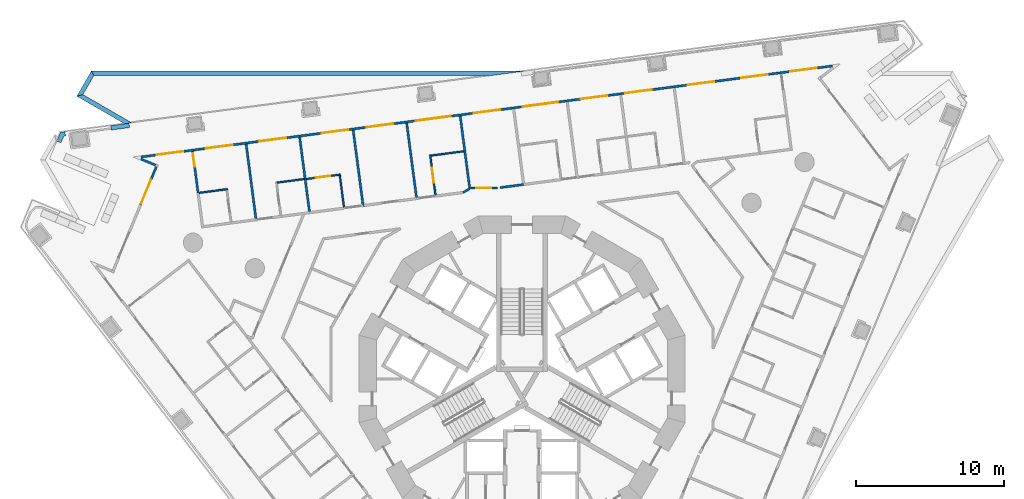
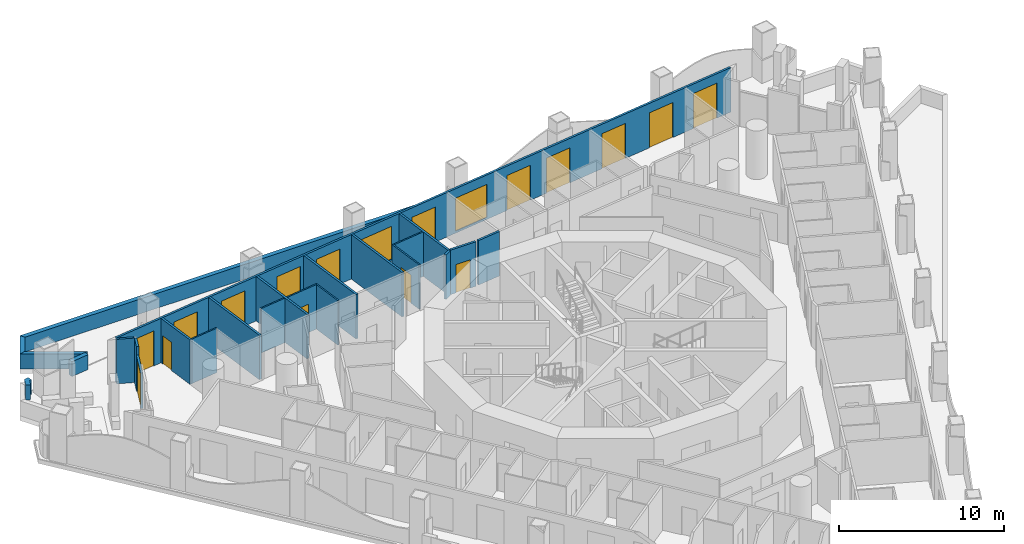
# One storey, part 8 of 20: 24 walls, 16 doors, 2 windows, 18 openings.
"""IFC4 building model written with IfcOpenShell, lengths in metres."""

from ifc_helpers import new_model, si_unit, direction, frame, frame_2d, origin, place, context, subcontext, project, spatial, polyline, rectangle, outline, extrude, material, layer, layer_set, type_object, element, fill, save


model = new_model("IFC4")

# Units and contexts
model_context = context("Model", 3, precision=1e-05, world=origin(), true_north=direction((0.0, 1.0)))
body_context = subcontext(model_context, "Body", "Model", "MODEL_VIEW")
ifc_project = project(units=[si_unit("LENGTHUNIT", "METRE"), si_unit("AREAUNIT", "SQUARE_METRE"), si_unit("VOLUMEUNIT", "CUBIC_METRE"), si_unit("PLANEANGLEUNIT", "RADIAN"), si_unit("MASSUNIT", "GRAM", prefix="KILO")], contexts=[model_context])

# Site, building, storey
site_placement = place(None, origin())
site = spatial("IfcSite", under=ifc_project, at=site_placement, CompositionType="ELEMENT")
building_placement = place(site_placement, origin())
building = spatial("IfcBuilding", under=site, at=building_placement, Name="Trine Commons Tower", CompositionType="ELEMENT")
storey_placement = place(building_placement, frame((0.0, 0.0, 50.39990234375)))
storey = spatial("IfcBuildingStorey", under=building, at=storey_placement, Name="L11", CompositionType="ELEMENT", Elevation=50.39990234375)

# Wall, opening, door
ifc_material_1 = material(Name="Aluminium-framed insulated wall panel", Category="aluminium")
ifc_layer_1 = layer(ifc_material_1, 0.14990234375)
ifc_layer_set_1 = layer_set([ifc_layer_1], Name="Aluminium-framed insulated wall panel")
wall_type_1 = type_object("IfcWallType", Name="Glazed frame wall 150, EI 60", PredefinedType="SOLIDWALL", material=ifc_layer_set_1)
wall_1_placement = place(storey_placement, frame((54.24755859375, 74.24951171875, 0.0), z_axis=(0.0, 0.0, 1.0), x_axis=(0.382661988648, 0.923888414498, 0.0)))
wall_1 = element("IfcWall", 1, at=wall_1_placement, inside=storey, type_object=wall_type_1, Name="Glazed frame wall P1.4", PredefinedType="SOLIDWALL", context=body_context, shape_type="SweptSolid", body=[
    extrude(outline(polyline([(0.0, -0.074951171875), (1.89990234375, -0.074951171875), (1.89990234375, 0.074951171875), (0.0, 0.074951171875), (0.0, -0.074951171875)])), origin(), (0.0, 0.0, 1.0), 2.650146484375),
])
opening_1_placement = place(wall_1_placement, frame((0.050048828125, 0.0, 0.0)))
opening_1 = element("IfcOpeningElement", 2, at=opening_1_placement, cuts=wall_1, Name="Opening BD-2P1-02", PredefinedType="OPENING", context=body_context, shape_type="SweptSolid", body=[
    extrude(rectangle(XDim=1.800048828125, YDim=2.60009765625, at=frame_2d((0.89990234375, 1.300048828125))), frame((0.0, 0.0849609375, 0.0), z_axis=(0.0, -1.0, 0.0), x_axis=(1.0, 0.0, 0.0)), (0.0, 0.0, 1.0), 0.169921875),
])
ifc_material_2 = material(Name="Anodised aluminium frame with double glazing", Category="aluminium")
door_type_1 = type_object("IfcDoorType", Name="Sliding loggia door 1800x2600", OperationType="SLIDING_TO_LEFT", PredefinedType="DOOR", material=ifc_material_2)
door_1_placement = place(opening_1_placement, origin())
door_1 = element("IfcDoor", 3, at=door_1_placement, inside=storey, type_object=door_type_1, Name="Loggia door P1 2", OperationType="SLIDING_TO_LEFT", OverallHeight=2.60009765625, OverallWidth=1.800048828125, PredefinedType="DOOR", context=body_context, shape_type="SweptSolid", body=[
    extrude(rectangle(XDim=1.800048828125, YDim=2.60009765625, at=frame_2d((0.89990234375, 1.300048828125))), frame((0.0, 0.02490234375, 0.0), z_axis=(0.0, -1.0, 0.0), x_axis=(1.0, 0.0, 0.0)), (0.0, 0.0, 1.0), 0.050048828125),
])
fill(opening_1, door_1)

# Walls
wall_2_placement = place(storey_placement, frame((54.974609375, 76.0048828125, 0.0), z_axis=(0.0, 0.0, 1.0), x_axis=(0.382811769845, 0.923826362943, 0.0)))
element("IfcWall", 4, at=wall_2_placement, inside=storey, type_object=wall_type_1, Name="Glazed frame wall P1.5", PredefinedType="SOLIDWALL", context=body_context, shape_type="SweptSolid", body=[
    extrude(outline(polyline([(0.889892578125, 0.074951171875), (0.0, 0.074951171875), (0.0, -0.074951171875), (0.889892578125, -0.074951171875), (0.889892578125, 0.074951171875)])), origin(), (0.0, 0.0, 1.0), 3.300048828125),
])
wall_3_placement = place(storey_placement, frame((55.376220703125, 76.883056640625, 0.0), z_axis=(0.0, 0.0, 1.0), x_axis=(-0.923901801611, 0.382629665579, 0.0)))
element("IfcWall", 5, at=wall_3_placement, inside=storey, type_object=wall_type_1, Name="Glazed frame wall R3", PredefinedType="SOLIDWALL", context=body_context, shape_type="SweptSolid", body=[
    extrude(outline(polyline([(0.110107421875, 0.074951171875), (0.110107421875, -0.074951171875), (1.19580078125, -0.074951171875), (1.19580078125, 0.074951171875), (0.110107421875, 0.074951171875)])), origin(), (0.0, 0.0, 1.0), 3.300048828125),
])

# Wall, openings, windows, doors
wall_4_placement = place(storey_placement, frame((54.142333984375, 77.464599609375, 0.0), z_axis=(0.0, 0.0, 1.0), x_axis=(0.991444696532, 0.130527444308, 0.0)))
wall_4 = element("IfcWall", 6, at=wall_4_placement, inside=storey, type_object=wall_type_1, Name="Glazed frame wall F1", PredefinedType="SOLIDWALL", context=body_context, shape_type="SweptSolid", body=[
    extrude(outline(polyline([(0.1494140625, 0.074951171875), (0.1494140625, -0.074951171875), (47.216796875, -0.074951171875), (47.216796875, 0.074951171875), (0.1494140625, 0.074951171875)])), origin(), (0.0, 0.0, 1.0), 3.300048828125),
])
opening_2_placement = place(wall_4_placement, frame((1.2216796875, 0.0, 0.0)))
opening_2 = element("IfcOpeningElement", 7, at=opening_2_placement, cuts=wall_4, Name="Opening BD-2F1-01", PredefinedType="OPENING", context=body_context, shape_type="SweptSolid", body=[
    extrude(rectangle(XDim=1.800048828125, YDim=2.60009765625, at=frame_2d((0.89990234375, 1.300048828125))), frame((0.0, 0.0849609375, 0.0), z_axis=(0.0, -1.0, 0.0), x_axis=(1.0, 0.0, 0.0)), (0.0, 0.0, 1.0), 0.169921875),
])
opening_3_placement = place(wall_4_placement, frame((4.5654296875, 0.0, 0.0)))
opening_3 = element("IfcOpeningElement", 8, at=opening_3_placement, cuts=wall_4, Name="Opening BD-2F1-02", PredefinedType="OPENING", context=body_context, shape_type="SweptSolid", body=[
    extrude(rectangle(XDim=1.800048828125, YDim=2.60009765625, at=frame_2d((0.89990234375, 1.300048828125))), frame((0.0, 0.0849609375, 0.0), z_axis=(0.0, -1.0, 0.0), x_axis=(1.0, 0.0, 0.0)), (0.0, 0.0, 1.0), 0.169921875),
])
opening_4_placement = place(wall_4_placement, frame((8.208984375, 0.0, 0.0)))
opening_4 = element("IfcOpeningElement", 9, at=opening_4_placement, cuts=wall_4, Name="Opening BD-2F1-03", PredefinedType="OPENING", context=body_context, shape_type="SweptSolid", body=[
    extrude(rectangle(XDim=1.800048828125, YDim=2.60009765625, at=frame_2d((0.89990234375, 1.300048828125))), frame((0.0, 0.0849609375, 0.0), z_axis=(0.0, -1.0, 0.0), x_axis=(1.0, 0.0, 0.0)), (0.0, 0.0, 1.0), 0.169921875),
])
opening_5_placement = place(wall_4_placement, frame((12.45263671875, 0.0, 0.0)))
opening_5 = element("IfcOpeningElement", 10, at=opening_5_placement, cuts=wall_4, Name="Opening BD-2F1-04", PredefinedType="OPENING", context=body_context, shape_type="SweptSolid", body=[
    extrude(rectangle(XDim=1.800048828125, YDim=2.60009765625, at=frame_2d((0.89990234375, 1.300048828125))), frame((0.0, 0.0849609375, 0.0), z_axis=(0.0, -1.0, 0.0), x_axis=(1.0, 0.0, 0.0)), (0.0, 0.0, 1.0), 0.169921875),
])
opening_6_placement = place(wall_4_placement, frame((15.49609375, 0.0, 0.0)))
opening_6 = element("IfcOpeningElement", 11, at=opening_6_placement, cuts=wall_4, Name="Opening BD-2F1-05", PredefinedType="OPENING", context=body_context, shape_type="SweptSolid", body=[
    extrude(rectangle(XDim=1.800048828125, YDim=2.60009765625, at=frame_2d((0.89990234375, 1.300048828125))), frame((0.0, 0.0849609375, 0.0), z_axis=(0.0, -1.0, 0.0), x_axis=(1.0, 0.0, 0.0)), (0.0, 0.0, 1.0), 0.169921875),
])
opening_7_placement = place(wall_4_placement, frame((18.83984375, 0.0, 0.14990234375)))
opening_7 = element("IfcOpeningElement", 12, at=opening_7_placement, cuts=wall_4, Name="Opening W-2F1-06", PredefinedType="OPENING", context=body_context, shape_type="SweptSolid", body=[
    extrude(rectangle(XDim=2.39990234375, YDim=2.449951171875, at=frame_2d((1.199951171875, 1.22509765625))), frame((0.0, 0.0849609375, 0.0), z_axis=(0.0, -1.0, 0.0), x_axis=(1.0, 0.0, 0.0)), (0.0, 0.0, 1.0), 0.169921875),
])
opening_8_placement = place(wall_4_placement, frame((22.783447265625, 0.0, 0.0)))
opening_8 = element("IfcOpeningElement", 13, at=opening_8_placement, cuts=wall_4, Name="Opening BD-2F1-07", PredefinedType="OPENING", context=body_context, shape_type="SweptSolid", body=[
    extrude(rectangle(XDim=1.800048828125, YDim=2.60009765625, at=frame_2d((0.89990234375, 1.300048828125))), frame((0.0, 0.0849609375, 0.0), z_axis=(0.0, -1.0, 0.0), x_axis=(1.0, 0.0, 0.0)), (0.0, 0.0, 1.0), 0.169921875),
])
opening_9_placement = place(wall_4_placement, frame((26.126953125, 0.0, 0.14990234375)))
opening_9 = element("IfcOpeningElement", 14, at=opening_9_placement, cuts=wall_4, Name="Opening W-2F1-08", PredefinedType="OPENING", context=body_context, shape_type="SweptSolid", body=[
    extrude(rectangle(XDim=2.39990234375, YDim=2.449951171875, at=frame_2d((1.199951171875, 1.22509765625))), frame((0.0, 0.0849609375, 0.0), z_axis=(0.0, -1.0, 0.0), x_axis=(1.0, 0.0, 0.0)), (0.0, 0.0, 1.0), 0.169921875),
])
opening_10_placement = place(wall_4_placement, frame((30.070556640625, 0.0, 0.0)))
opening_10 = element("IfcOpeningElement", 15, at=opening_10_placement, cuts=wall_4, Name="Opening BD-2F1-09", PredefinedType="OPENING", context=body_context, shape_type="SweptSolid", body=[
    extrude(rectangle(XDim=1.800048828125, YDim=2.60009765625, at=frame_2d((0.89990234375, 1.300048828125))), frame((0.0, 0.0849609375, 0.0), z_axis=(0.0, -1.0, 0.0), x_axis=(1.0, 0.0, 0.0)), (0.0, 0.0, 1.0), 0.169921875),
])
opening_11_placement = place(wall_4_placement, frame((33.1142578125, 0.0, 0.0)))
opening_11 = element("IfcOpeningElement", 16, at=opening_11_placement, cuts=wall_4, Name="Opening BD-2F1-10", PredefinedType="OPENING", context=body_context, shape_type="SweptSolid", body=[
    extrude(rectangle(XDim=1.800048828125, YDim=2.60009765625, at=frame_2d((0.89990234375, 1.300048828125))), frame((0.0, 0.0849609375, 0.0), z_axis=(0.0, -1.0, 0.0), x_axis=(1.0, 0.0, 0.0)), (0.0, 0.0, 1.0), 0.169921875),
])
opening_12_placement = place(wall_4_placement, frame((37.35791015625, 0.0, 0.0)))
opening_12 = element("IfcOpeningElement", 17, at=opening_12_placement, cuts=wall_4, Name="Opening BD-2F1-11", PredefinedType="OPENING", context=body_context, shape_type="SweptSolid", body=[
    extrude(rectangle(XDim=1.800048828125, YDim=2.60009765625, at=frame_2d((0.89990234375, 1.300048828125))), frame((0.0, 0.0849609375, 0.0), z_axis=(0.0, -1.0, 0.0), x_axis=(1.0, 0.0, 0.0)), (0.0, 0.0, 1.0), 0.169921875),
])
opening_13_placement = place(wall_4_placement, frame((41.00146484375, 0.0, 0.0)))
opening_13 = element("IfcOpeningElement", 18, at=opening_13_placement, cuts=wall_4, Name="Opening BD-2F1-12", PredefinedType="OPENING", context=body_context, shape_type="SweptSolid", body=[
    extrude(rectangle(XDim=1.800048828125, YDim=2.60009765625, at=frame_2d((0.89990234375, 1.300048828125))), frame((0.0, 0.0849609375, 0.0), z_axis=(0.0, -1.0, 0.0), x_axis=(1.0, 0.0, 0.0)), (0.0, 0.0, 1.0), 0.169921875),
])
opening_14_placement = place(wall_4_placement, frame((44.344970703125, 0.0, 0.0)))
opening_14 = element("IfcOpeningElement", 19, at=opening_14_placement, cuts=wall_4, Name="Opening BD-2F1-13", PredefinedType="OPENING", context=body_context, shape_type="SweptSolid", body=[
    extrude(rectangle(XDim=1.800048828125, YDim=2.60009765625, at=frame_2d((0.89990234375, 1.300048828125))), frame((0.0, 0.0849609375, 0.0), z_axis=(0.0, -1.0, 0.0), x_axis=(1.0, 0.0, 0.0)), (0.0, 0.0, 1.0), 0.169921875),
])
window_type = type_object("IfcWindowType", Name="Fixed window 2400x2450", PartitioningType="SINGLE_PANEL", PredefinedType="WINDOW", material=ifc_material_2)
window_1_placement = place(opening_7_placement, origin())
window_1 = element("IfcWindow", 20, at=window_1_placement, inside=storey, type_object=window_type, Name="Window F1 6", OverallHeight=2.449951171875, OverallWidth=2.39990234375, PartitioningType="SINGLE_PANEL", PredefinedType="WINDOW", context=body_context, shape_type="SweptSolid", body=[
    extrude(rectangle(XDim=2.39990234375, YDim=2.449951171875, at=frame_2d((1.199951171875, 1.22509765625))), frame((0.0, 0.030029296875, 0.0), z_axis=(0.0, -1.0, 0.0), x_axis=(1.0, 0.0, 0.0)), (0.0, 0.0, 1.0), 0.06005859375),
])
fill(opening_7, window_1)
window_2_placement = place(opening_9_placement, origin())
window_2 = element("IfcWindow", 21, at=window_2_placement, inside=storey, type_object=window_type, Name="Window F1 8", OverallHeight=2.449951171875, OverallWidth=2.39990234375, PartitioningType="SINGLE_PANEL", PredefinedType="WINDOW", context=body_context, shape_type="SweptSolid", body=[
    extrude(rectangle(XDim=2.39990234375, YDim=2.449951171875, at=frame_2d((1.199951171875, 1.22509765625))), frame((0.0, 0.030029296875, 0.0), z_axis=(0.0, -1.0, 0.0), x_axis=(1.0, 0.0, 0.0)), (0.0, 0.0, 1.0), 0.06005859375),
])
fill(opening_9, window_2)
door_2_placement = place(opening_2_placement, origin())
door_2 = element("IfcDoor", 22, at=door_2_placement, inside=storey, type_object=door_type_1, Name="Loggia door F1 1", OperationType="SLIDING_TO_LEFT", OverallHeight=2.60009765625, OverallWidth=1.800048828125, PredefinedType="DOOR", context=body_context, shape_type="SweptSolid", body=[
    extrude(rectangle(XDim=1.800048828125, YDim=2.60009765625, at=frame_2d((0.89990234375, 1.300048828125))), frame((0.0, 0.02490234375, 0.0), z_axis=(0.0, -1.0, 0.0), x_axis=(1.0, 0.0, 0.0)), (0.0, 0.0, 1.0), 0.050048828125),
])
fill(opening_2, door_2)
door_3_placement = place(opening_3_placement, origin())
door_3 = element("IfcDoor", 23, at=door_3_placement, inside=storey, type_object=door_type_1, Name="Loggia door F1 2", OperationType="SLIDING_TO_LEFT", OverallHeight=2.60009765625, OverallWidth=1.800048828125, PredefinedType="DOOR", context=body_context, shape_type="SweptSolid", body=[
    extrude(rectangle(XDim=1.800048828125, YDim=2.60009765625, at=frame_2d((0.89990234375, 1.300048828125))), frame((0.0, 0.02490234375, 0.0), z_axis=(0.0, -1.0, 0.0), x_axis=(1.0, 0.0, 0.0)), (0.0, 0.0, 1.0), 0.050048828125),
])
fill(opening_3, door_3)
door_4_placement = place(opening_4_placement, origin())
door_4 = element("IfcDoor", 24, at=door_4_placement, inside=storey, type_object=door_type_1, Name="Loggia door F1 3", OperationType="SLIDING_TO_LEFT", OverallHeight=2.60009765625, OverallWidth=1.800048828125, PredefinedType="DOOR", context=body_context, shape_type="SweptSolid", body=[
    extrude(rectangle(XDim=1.800048828125, YDim=2.60009765625, at=frame_2d((0.89990234375, 1.300048828125))), frame((0.0, 0.02490234375, 0.0), z_axis=(0.0, -1.0, 0.0), x_axis=(1.0, 0.0, 0.0)), (0.0, 0.0, 1.0), 0.050048828125),
])
fill(opening_4, door_4)
door_5_placement = place(opening_5_placement, origin())
door_5 = element("IfcDoor", 25, at=door_5_placement, inside=storey, type_object=door_type_1, Name="Loggia door F1 4", OperationType="SLIDING_TO_LEFT", OverallHeight=2.60009765625, OverallWidth=1.800048828125, PredefinedType="DOOR", context=body_context, shape_type="SweptSolid", body=[
    extrude(rectangle(XDim=1.800048828125, YDim=2.60009765625, at=frame_2d((0.89990234375, 1.300048828125))), frame((0.0, 0.02490234375, 0.0), z_axis=(0.0, -1.0, 0.0), x_axis=(1.0, 0.0, 0.0)), (0.0, 0.0, 1.0), 0.050048828125),
])
fill(opening_5, door_5)
door_6_placement = place(opening_6_placement, origin())
door_6 = element("IfcDoor", 26, at=door_6_placement, inside=storey, type_object=door_type_1, Name="Loggia door F1 5", OperationType="SLIDING_TO_LEFT", OverallHeight=2.60009765625, OverallWidth=1.800048828125, PredefinedType="DOOR", context=body_context, shape_type="SweptSolid", body=[
    extrude(rectangle(XDim=1.800048828125, YDim=2.60009765625, at=frame_2d((0.89990234375, 1.300048828125))), frame((0.0, 0.02490234375, 0.0), z_axis=(0.0, -1.0, 0.0), x_axis=(1.0, 0.0, 0.0)), (0.0, 0.0, 1.0), 0.050048828125),
])
fill(opening_6, door_6)
door_7_placement = place(opening_8_placement, origin())
door_7 = element("IfcDoor", 27, at=door_7_placement, inside=storey, type_object=door_type_1, Name="Loggia door F1 7", OperationType="SLIDING_TO_LEFT", OverallHeight=2.60009765625, OverallWidth=1.800048828125, PredefinedType="DOOR", context=body_context, shape_type="SweptSolid", body=[
    extrude(rectangle(XDim=1.800048828125, YDim=2.60009765625, at=frame_2d((0.89990234375, 1.300048828125))), frame((0.0, 0.02490234375, 0.0), z_axis=(0.0, -1.0, 0.0), x_axis=(1.0, 0.0, 0.0)), (0.0, 0.0, 1.0), 0.050048828125),
])
fill(opening_8, door_7)
door_8_placement = place(opening_10_placement, origin())
door_8 = element("IfcDoor", 28, at=door_8_placement, inside=storey, type_object=door_type_1, Name="Loggia door F1 9", OperationType="SLIDING_TO_LEFT", OverallHeight=2.60009765625, OverallWidth=1.800048828125, PredefinedType="DOOR", context=body_context, shape_type="SweptSolid", body=[
    extrude(rectangle(XDim=1.800048828125, YDim=2.60009765625, at=frame_2d((0.89990234375, 1.300048828125))), frame((0.0, 0.02490234375, 0.0), z_axis=(0.0, -1.0, 0.0), x_axis=(1.0, 0.0, 0.0)), (0.0, 0.0, 1.0), 0.050048828125),
])
fill(opening_10, door_8)
door_9_placement = place(opening_11_placement, origin())
door_9 = element("IfcDoor", 29, at=door_9_placement, inside=storey, type_object=door_type_1, Name="Loggia door F1 10", OperationType="SLIDING_TO_LEFT", OverallHeight=2.60009765625, OverallWidth=1.800048828125, PredefinedType="DOOR", context=body_context, shape_type="SweptSolid", body=[
    extrude(rectangle(XDim=1.800048828125, YDim=2.60009765625, at=frame_2d((0.89990234375, 1.300048828125))), frame((0.0, 0.02490234375, 0.0), z_axis=(0.0, -1.0, 0.0), x_axis=(1.0, 0.0, 0.0)), (0.0, 0.0, 1.0), 0.050048828125),
])
fill(opening_11, door_9)
door_10_placement = place(opening_12_placement, origin())
door_10 = element("IfcDoor", 30, at=door_10_placement, inside=storey, type_object=door_type_1, Name="Loggia door F1 11", OperationType="SLIDING_TO_LEFT", OverallHeight=2.60009765625, OverallWidth=1.800048828125, PredefinedType="DOOR", context=body_context, shape_type="SweptSolid", body=[
    extrude(rectangle(XDim=1.800048828125, YDim=2.60009765625, at=frame_2d((0.89990234375, 1.300048828125))), frame((0.0, 0.02490234375, 0.0), z_axis=(0.0, -1.0, 0.0), x_axis=(1.0, 0.0, 0.0)), (0.0, 0.0, 1.0), 0.050048828125),
])
fill(opening_12, door_10)
door_11_placement = place(opening_13_placement, origin())
door_11 = element("IfcDoor", 31, at=door_11_placement, inside=storey, type_object=door_type_1, Name="Loggia door F1 12", OperationType="SLIDING_TO_LEFT", OverallHeight=2.60009765625, OverallWidth=1.800048828125, PredefinedType="DOOR", context=body_context, shape_type="SweptSolid", body=[
    extrude(rectangle(XDim=1.800048828125, YDim=2.60009765625, at=frame_2d((0.89990234375, 1.300048828125))), frame((0.0, 0.02490234375, 0.0), z_axis=(0.0, -1.0, 0.0), x_axis=(1.0, 0.0, 0.0)), (0.0, 0.0, 1.0), 0.050048828125),
])
fill(opening_13, door_11)
door_12_placement = place(opening_14_placement, origin())
door_12 = element("IfcDoor", 32, at=door_12_placement, inside=storey, type_object=door_type_1, Name="Loggia door F1 13", OperationType="SLIDING_TO_LEFT", OverallHeight=2.60009765625, OverallWidth=1.800048828125, PredefinedType="DOOR", context=body_context, shape_type="SweptSolid", body=[
    extrude(rectangle(XDim=1.800048828125, YDim=2.60009765625, at=frame_2d((0.89990234375, 1.300048828125))), frame((0.0, 0.02490234375, 0.0), z_axis=(0.0, -1.0, 0.0), x_axis=(1.0, 0.0, 0.0)), (0.0, 0.0, 1.0), 0.050048828125),
])
fill(opening_14, door_12)

# Walls
ifc_material_3 = material(Name="Limestone, honed", Category="masonry")
ifc_layer_2 = layer(ifc_material_3, 0.300048828125)
ifc_layer_set_2 = layer_set([ifc_layer_2], Name="Limestone, honed")
wall_type_2 = type_object("IfcWallType", Name="Stone parapet 300", PredefinedType="PARAPET", material=ifc_layer_set_2)
wall_5_placement = place(storey_placement, origin())
element("IfcWall", 33, at=wall_5_placement, inside=storey, type_object=wall_type_2, Name="Sliver roof parapet extension L10 1.X1", PredefinedType="PARAPET", context=body_context, shape_type="SweptSolid", body=[
    extrude(outline(polyline([(48.6357421875, 78.640625), (48.599609375, 78.553466796875), (48.876953125, 78.438720703125), (49.058837890625, 78.87841796875), (49.185791015625, 78.89501953125), (49.146484375, 79.1923828125), (49.01904296875, 79.175537109375), (48.864013671875, 79.1552734375), (48.8359375, 79.1240234375), (48.6357421875, 78.640625)])), origin(), (0.0, 0.0, 1.0), 1.10009765625),
])
wall_6_placement = place(storey_placement, origin())
element("IfcWall", 34, at=wall_6_placement, inside=storey, type_object=wall_type_2, Name="Sliver roof parapet L10 2.1", PredefinedType="PARAPET", context=body_context, shape_type="SweptSolid", body=[
    extrude(outline(polyline([(80.22998046875, 83.28466796875), (50.92822265625, 83.28466796875), (51.101318359375, 82.984619140625), (77.951416015625, 82.984619140625), (80.22998046875, 83.28466796875)])), origin(), (0.0, 0.0, 1.0), 1.10009765625),
])
wall_7_placement = place(storey_placement, origin())
element("IfcWall", 35, at=wall_7_placement, inside=storey, type_object=wall_type_2, Name="Sliver roof parapet L10 2.2", PredefinedType="PARAPET", context=body_context, shape_type="SweptSolid", body=[
    extrude(outline(polyline([(50.92822265625, 83.28466796875), (49.9462890625, 81.58349609375), (50.35595703125, 81.693359375), (51.101318359375, 82.984619140625), (50.92822265625, 83.28466796875)])), origin(), (0.0, 0.0, 1.0), 1.10009765625),
])
wall_8_placement = place(storey_placement, origin())
element("IfcWall", 36, at=wall_8_placement, inside=storey, type_object=wall_type_2, Name="Sliver roof parapet L10 2.3", PredefinedType="PARAPET", context=body_context, shape_type="SweptSolid", body=[
    extrude(outline(polyline([(49.9462890625, 81.58349609375), (53.17041015625, 79.72216796875), (53.658935546875, 79.786376953125), (50.35595703125, 81.693359375), (49.9462890625, 81.58349609375)])), origin(), (0.0, 0.0, 1.0), 1.10009765625),
])
wall_9_placement = place(storey_placement, origin())
element("IfcWall", 37, at=wall_9_placement, inside=storey, type_object=wall_type_2, Name="Sliver roof parapet extension L10 2.X2", PredefinedType="PARAPET", context=body_context, shape_type="SweptSolid", body=[
    extrude(outline(polyline([(53.507080078125, 79.4638671875), (53.4677734375, 79.76123046875), (52.228515625, 79.59814453125), (52.267578125, 79.30078125), (53.507080078125, 79.4638671875)])), origin(), (0.0, 0.0, 1.0), 1.10009765625),
])

# Wall, opening, door
ifc_material_4 = material(Name="Gypsum plasterboard on steel stud", Category="steel")
ifc_layer_3 = layer(ifc_material_4, 0.14990234375)
ifc_layer_set_3 = layer_set([ifc_layer_3], Name="Gypsum plasterboard on steel stud")
wall_type_3 = type_object("IfcWallType", Name="Unit and corridor wall 150 mm, EI 60", PredefinedType="PARTITIONING", material=ifc_layer_set_3)
wall_10_placement = place(storey_placement, frame((57.76416015625, 77.8662109375, 0.0), z_axis=(0.0, 0.0, 1.0), x_axis=(0.130439234834, -0.991456305651, 0.0)))
wall_10 = element("IfcWall", 38, at=wall_10_placement, inside=storey, type_object=wall_type_3, Name="Partition 003", PredefinedType="PARTITIONING", context=body_context, shape_type="SweptSolid", body=[
    extrude(rectangle(XDim=2.8935546875, YDim=0.14990234375, at=frame_2d((1.44677734375, 0.0))), origin(), (0.0, 0.0, 1.0), 3.300048828125),
])
opening_15_placement = place(wall_10_placement, frame((0.14990234375, 0.0, 0.0)))
opening_15 = element("IfcOpeningElement", 39, at=opening_15_placement, cuts=wall_10, Name="Opening D-2A07", PredefinedType="OPENING", context=body_context, shape_type="SweptSolid", body=[
    extrude(rectangle(XDim=0.89990234375, YDim=2.10009765625, at=frame_2d((0.449951171875, 1.050048828125))), frame((0.0, 0.0849609375, 0.0), z_axis=(0.0, -1.0, 0.0), x_axis=(1.0, 0.0, 0.0)), (0.0, 0.0, 1.0), 0.169921875),
])
ifc_material_5 = material(Name="Timber fire door set", Category="wood")
door_type_2 = type_object("IfcDoorType", Name="Bedroom door 900 x 2100, FD30S", OperationType="NOTDEFINED", PredefinedType="DOOR", material=ifc_material_5)
door_13_placement = place(opening_15_placement, origin())
door_13 = element("IfcDoor", 40, at=door_13_placement, inside=storey, type_object=door_type_2, Name="Door D-2A07", OperationType="SINGLE_SWING_LEFT", OverallHeight=2.10009765625, OverallWidth=0.89990234375, PredefinedType="DOOR", context=body_context, shape_type="SweptSolid", body=[
    extrude(rectangle(XDim=0.89990234375, YDim=2.10009765625, at=frame_2d((0.449951171875, 1.050048828125))), frame((0.0, 0.02490234375, 0.0), z_axis=(0.0, -1.0, 0.0), x_axis=(1.0, 0.0, 0.0)), (0.0, 0.0, 1.0), 0.050048828125),
])
fill(opening_15, door_13)

# Walls
for number, where, z_axis, x_axis, name in (
    (41, (61.377197265625, 78.34130859375, 0.0), (0.0, 0.0, 1.0), (0.130499406053, -0.991448387471, 0.0), "Partition 017"),
    (42, (64.9892578125, 78.8173828125, 0.0), (0.0, 0.0, 1.0), (0.130499406053, -0.991448387471, 0.0), "Partition 035"),
):
    element("IfcWall", number, at=place(storey_placement, frame(where, z_axis=z_axis, x_axis=x_axis)), inside=storey, type_object=wall_type_3, Name=name, PredefinedType="PARTITIONING", context=body_context, shape_type="SweptSolid", body=[
        extrude(rectangle(XDim=5.064208984375, YDim=0.14990234375, at=frame_2d((2.5322265625, 0.0))), origin(), (0.0, 0.0, 1.0), 3.300048828125),
    ])
wall_11_placement = place(storey_placement, frame((68.602294921875, 79.292236328125, 0.0), z_axis=(0.0, 0.0, 1.0), x_axis=(0.130516294002, -0.991446164449, 0.0)))
element("IfcWall", 43, at=wall_11_placement, inside=storey, type_object=wall_type_3, Name="Partition 049", PredefinedType="PARTITIONING", context=body_context, shape_type="SweptSolid", body=[
    extrude(rectangle(XDim=5.21337890625, YDim=0.14990234375, at=frame_2d((2.606689453125, 0.0))), origin(), (0.0, 0.0, 1.0), 3.300048828125),
])
wall_12_placement = place(storey_placement, frame((72.214111328125, 79.768310546875, 0.0), z_axis=(0.0, 0.0, 1.0), x_axis=(0.130546792746, -0.991442149045, 0.0)))
element("IfcWall", 44, at=wall_12_placement, inside=storey, type_object=wall_type_3, Name="Partition 060", PredefinedType="PARTITIONING", context=body_context, shape_type="SweptSolid", body=[
    extrude(rectangle(XDim=5.064453125, YDim=0.14990234375, at=frame_2d((2.5322265625, 0.0))), origin(), (0.0, 0.0, 1.0), 3.300048828125),
])
wall_13_placement = place(storey_placement, frame((75.8271484375, 80.244384765625, 0.0), z_axis=(0.0, 0.0, 1.0), x_axis=(0.130426407647, -0.991457993154, 0.0)))
element("IfcWall", 45, at=wall_13_placement, inside=storey, type_object=wall_type_3, Name="Partition 073", PredefinedType="PARTITIONING", context=body_context, shape_type="SweptSolid", body=[
    extrude(rectangle(XDim=4.943603515625, YDim=0.14990234375, at=frame_2d((2.4716796875, 0.0))), origin(), (0.0, 0.0, 1.0), 3.300048828125),
])
wall_14_placement = place(storey_placement, frame((76.01806640625, 75.08203125, 0.0), z_axis=(0.0, 0.0, 1.0), x_axis=(0.866446896963, 0.499269240734, 0.0)))
element("IfcWall", 46, at=wall_14_placement, inside=storey, type_object=wall_type_3, Name="Partition 074", PredefinedType="PARTITIONING", context=body_context, shape_type="SweptSolid", body=[
    extrude(rectangle(XDim=0.528564453125, YDim=0.14990234375, at=frame_2d((0.26416015625, 0.0))), origin(), (0.0, 0.0, 1.0), 3.300048828125),
])

# Wall, opening, door
wall_15_placement = place(storey_placement, frame((76.547119140625, 75.386962890625, 0.0), z_axis=(0.0, 0.0, 1.0), x_axis=(1.0, 0.0, 0.0)))
wall_15 = element("IfcWall", 47, at=wall_15_placement, inside=storey, type_object=wall_type_3, Name="Partition 076", PredefinedType="PARTITIONING", context=body_context, shape_type="SweptSolid", body=[
    extrude(rectangle(XDim=1.788818359375, YDim=0.14990234375, at=frame_2d((0.89453125, 0.0))), origin(), (0.0, 0.0, 1.0), 3.300048828125),
])
opening_16_placement = place(wall_15_placement, frame((0.3779296875, 0.0, 0.0)))
opening_16 = element("IfcOpeningElement", 48, at=opening_16_placement, cuts=wall_15, Name="Opening D-2A12", PredefinedType="OPENING", context=body_context, shape_type="SweptSolid", body=[
    extrude(rectangle(XDim=1.0, YDim=2.10009765625, at=frame_2d((0.5, 1.050048828125))), frame((0.0, 0.0849609375, 0.0), z_axis=(0.0, -1.0, 0.0), x_axis=(1.0, 0.0, 0.0)), (0.0, 0.0, 1.0), 0.169921875),
])
ifc_material_6 = material(Name="Painted timber", Category="wood")
door_type_3 = type_object("IfcDoorType", Name="Amenity room door 1000 x 2100, NOT RATED", OperationType="NOTDEFINED", PredefinedType="DOOR", material=ifc_material_6)
door_14_placement = place(opening_16_placement, origin())
door_14 = element("IfcDoor", 49, at=door_14_placement, inside=storey, type_object=door_type_3, Name="Door D-2A12", OperationType="SINGLE_SWING_LEFT", OverallHeight=2.10009765625, OverallWidth=1.0, PredefinedType="DOOR", context=body_context, shape_type="SweptSolid", body=[
    extrude(rectangle(XDim=1.0, YDim=2.10009765625, at=frame_2d((0.5, 1.050048828125))), frame((0.0, 0.02490234375, 0.0), z_axis=(0.0, -1.0, 0.0), x_axis=(1.0, 0.0, 0.0)), (0.0, 0.0, 1.0), 0.050048828125),
])
fill(opening_16, door_14)

# Walls
wall_16_placement = place(storey_placement, frame((78.508056640625, 75.4130859375, 0.0), z_axis=(0.0, 0.0, 1.0), x_axis=(0.991484025307, 0.13022836696, 0.0)))
element("IfcWall", 50, at=wall_16_placement, inside=storey, type_object=wall_type_3, Name="Partition 080", PredefinedType="PARTITIONING", context=body_context, shape_type="SweptSolid", body=[
    extrude(rectangle(XDim=1.61962890625, YDim=0.14990234375, at=frame_2d((0.809814453125, 0.0))), origin(), (0.0, 0.0, 1.0), 3.300048828125),
])
ifc_layer_4 = layer(ifc_material_4, 0.10009765625)
ifc_layer_set_4 = layer_set([ifc_layer_4], Name="Gypsum plasterboard on steel stud")
wall_type_4 = type_object("IfcWallType", Name="Unit partition 100 mm, no rating", PredefinedType="PARTITIONING", material=ifc_layer_set_4)
wall_17_placement = place(storey_placement, frame((58.20947265625, 75.060791015625, 0.0), z_axis=(0.0, 0.0, 1.0), x_axis=(0.991420604101, 0.130710312382, 0.0)))
element("IfcWall", 51, at=wall_17_placement, inside=storey, type_object=wall_type_4, Name="Partition 006", PredefinedType="PARTITIONING", context=body_context, shape_type="SweptSolid", body=[
    extrude(rectangle(XDim=1.92578125, YDim=0.10009765625, at=frame_2d((0.962890625, 0.0))), origin(), (0.0, 0.0, 1.0), 3.300048828125),
])
wall_18_placement = place(storey_placement, frame((63.4765625, 75.75439453125, 0.0), z_axis=(0.0, 0.0, 1.0), x_axis=(0.991471592706, 0.13032298668, 0.0)))
element("IfcWall", 52, at=wall_18_placement, inside=storey, type_object=wall_type_4, Name="Partition 026", PredefinedType="PARTITIONING", context=body_context, shape_type="SweptSolid", body=[
    extrude(rectangle(XDim=1.82470703125, YDim=0.10009765625, at=frame_2d((0.912353515625, 0.0))), origin(), (0.0, 0.0, 1.0), 3.300048828125),
])

# Wall, opening, door
wall_19_placement = place(storey_placement, frame((65.4375, 75.992919921875, 0.0), z_axis=(0.0, 0.0, 1.0), x_axis=(0.991499984132, 0.130106807916, 0.0)))
wall_19 = element("IfcWall", 53, at=wall_19_placement, inside=storey, type_object=wall_type_4, Name="Partition 036", PredefinedType="PARTITIONING", context=body_context, shape_type="SweptSolid", body=[
    extrude(rectangle(XDim=2.324951171875, YDim=0.10009765625, at=frame_2d((1.16259765625, 0.0))), origin(), (0.0, 0.0, 1.0), 3.300048828125),
])
opening_17_placement = place(wall_19_placement, frame((0.637451171875, 0.0, 0.0)))
opening_17 = element("IfcOpeningElement", 54, at=opening_17_placement, cuts=wall_19, Name="Opening D-2A43", PredefinedType="OPENING", context=body_context, shape_type="SweptSolid", body=[
    extrude(rectangle(XDim=1.0, YDim=2.10009765625, at=frame_2d((0.5, 1.050048828125))), frame((0.0, 0.06005859375, 0.0), z_axis=(0.0, -1.0, 0.0), x_axis=(1.0, 0.0, 0.0)), (0.0, 0.0, 1.0), 0.1201171875),
])
door_type_4 = type_object("IfcDoorType", Name="Internal door 1000 x 2100, NOT RATED", OperationType="NOTDEFINED", PredefinedType="DOOR", material=ifc_material_6)
door_15_placement = place(opening_17_placement, origin())
door_15 = element("IfcDoor", 55, at=door_15_placement, inside=storey, type_object=door_type_4, Name="Door D-2A43", OperationType="SINGLE_SWING_LEFT", OverallHeight=2.10009765625, OverallWidth=1.0, PredefinedType="DOOR", context=body_context, shape_type="SweptSolid", body=[
    extrude(rectangle(XDim=1.0, YDim=2.10009765625, at=frame_2d((0.5, 1.050048828125))), frame((0.0, 0.02490234375, 0.0), z_axis=(0.0, -1.0, 0.0), x_axis=(1.0, 0.0, 0.0)), (0.0, 0.0, 1.0), 0.050048828125),
])
fill(opening_17, door_15)

# Wall
wall_20_placement = place(storey_placement, frame((67.699462890625, 76.239501953125, 0.0), z_axis=(0.0, 0.0, 1.0), x_axis=(0.130322595805, -0.991471644084, 0.0)))
element("IfcWall", 56, at=wall_20_placement, inside=storey, type_object=wall_type_4, Name="Partition 048", PredefinedType="PARTITIONING", context=body_context, shape_type="SweptSolid", body=[
    extrude(rectangle(XDim=2.154296875, YDim=0.10009765625, at=frame_2d((1.0771484375, 0.0))), origin(), (0.0, 0.0, 1.0), 3.300048828125),
])

# Wall, opening, door
wall_21_placement = place(storey_placement, frame((73.802490234375, 77.61865234375, 0.0), z_axis=(0.0, 0.0, 1.0), x_axis=(0.130514759302, -0.991446366479, 0.0)))
wall_21 = element("IfcWall", 57, at=wall_21_placement, inside=storey, type_object=wall_type_4, Name="Partition 066", PredefinedType="PARTITIONING", context=body_context, shape_type="SweptSolid", body=[
    extrude(rectangle(XDim=2.725341796875, YDim=0.10009765625, at=frame_2d((1.36279296875, 0.0))), origin(), (0.0, 0.0, 1.0), 3.300048828125),
])
opening_18_placement = place(wall_21_placement, frame((0.8876953125, 0.0, 0.0)))
opening_18 = element("IfcOpeningElement", 58, at=opening_18_placement, cuts=wall_21, Name="Opening D-2A44", PredefinedType="OPENING", context=body_context, shape_type="SweptSolid", body=[
    extrude(rectangle(XDim=1.0, YDim=2.10009765625, at=frame_2d((0.5, 1.050048828125))), frame((0.0, 0.06005859375, 0.0), z_axis=(0.0, -1.0, 0.0), x_axis=(1.0, 0.0, 0.0)), (0.0, 0.0, 1.0), 0.1201171875),
])
door_16_placement = place(opening_18_placement, frame((1.0, 0.0, 0.0), z_axis=(0.0, 0.0, 1.0), x_axis=(-1.0, 0.0, 0.0)))
door_16 = element("IfcDoor", 59, at=door_16_placement, inside=storey, type_object=door_type_4, Name="Door D-2A44", OperationType="SINGLE_SWING_LEFT", OverallHeight=2.10009765625, OverallWidth=1.0, PredefinedType="DOOR", context=body_context, shape_type="SweptSolid", body=[
    extrude(rectangle(XDim=1.0, YDim=2.10009765625, at=frame_2d((0.5, 1.050048828125))), frame((0.0, 0.02490234375, 0.0), z_axis=(0.0, -1.0, 0.0), x_axis=(1.0, 0.0, 0.0)), (0.0, 0.0, 1.0), 0.050048828125),
])
fill(opening_18, door_16)

# Wall
wall_22_placement = place(storey_placement, frame((73.858642578125, 77.575439453125, 0.0), z_axis=(0.0, 0.0, 1.0), x_axis=(0.991425141763, 0.130675890199, 0.0)))
element("IfcWall", 60, at=wall_22_placement, inside=storey, type_object=wall_type_4, Name="Partition 067", PredefinedType="PARTITIONING", context=body_context, shape_type="SweptSolid", body=[
    extrude(rectangle(XDim=2.22509765625, YDim=0.10009765625, at=frame_2d((1.112548828125, 0.0))), origin(), (0.0, 0.0, 1.0), 3.300048828125),
])

save(model, "model.ifc")
